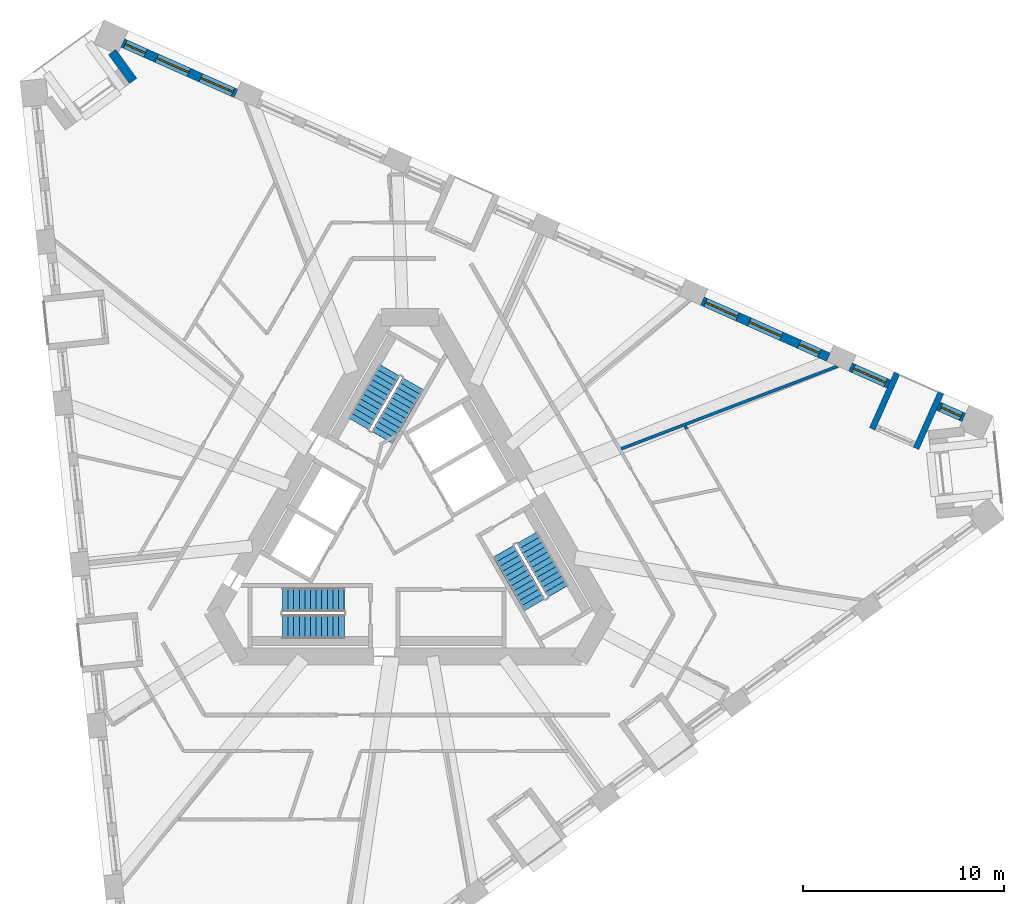
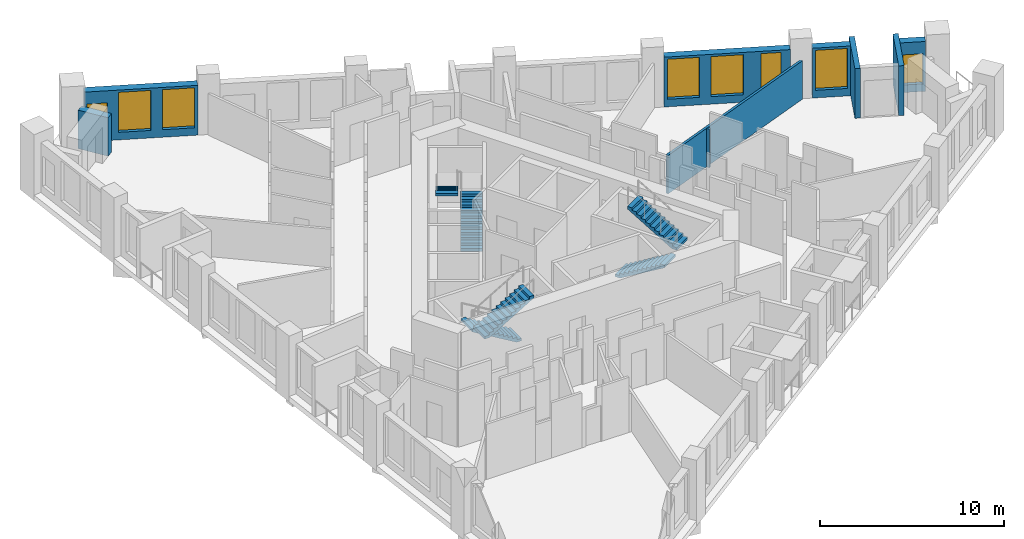
# One storey, part 9 of 14: 9 walls, 8 windows, 6 stair flights, 8 openings, 3 elements without a shape of their own.
"""IFC4 building model written with IfcOpenShell, lengths in metres."""

from ifc_helpers import new_model, si_unit, direction, frame, frame_2d, origin, place, context, subcontext, project, spatial, polyline, rectangle, outline, extrude, material, layer, layer_set, type_object, element, fill, aggregate, save


model = new_model("IFC4")

# Units and contexts
model_context = context("Model", 3, precision=1e-05, world=origin(), true_north=direction((0.0, 1.0)))
body_context = subcontext(model_context, "Body", "Model", "MODEL_VIEW")
ifc_project = project(units=[si_unit("LENGTHUNIT", "METRE"), si_unit("AREAUNIT", "SQUARE_METRE"), si_unit("VOLUMEUNIT", "CUBIC_METRE"), si_unit("PLANEANGLEUNIT", "RADIAN"), si_unit("MASSUNIT", "GRAM", prefix="KILO")], contexts=[model_context])

# Site, building, storey
site_placement = place(None, origin())
site = spatial("IfcSite", under=ifc_project, at=site_placement, CompositionType="ELEMENT")
building_placement = place(site_placement, origin())
building = spatial("IfcBuilding", under=site, at=building_placement, Name="Tramontana Tower", CompositionType="ELEMENT")
storey_placement = place(building_placement, frame((0.0, 0.0, 162.800048828125)))
storey = spatial("IfcBuildingStorey", under=building, at=storey_placement, Name="L37", CompositionType="ELEMENT", Elevation=162.800048828125)

# Wall, opening, window
ifc_material_1 = material(Name="Precast concrete 60 MPa", Category="concrete")
ifc_layer_1 = layer(ifc_material_1, 0.449951171875)
ifc_layer_set_1 = layer_set([ifc_layer_1], Name="Precast concrete 60 MPa, 450 mm")
wall_type_1 = type_object("IfcWallType", Name="EW1 Stone-faced precast wall 450", PredefinedType="SOLIDWALL", material=ifc_layer_set_1)
wall_1_placement = place(storey_placement, frame((27.604736328125, 5.57958984375, 0.0), z_axis=(0.0, 0.0, 1.0), x_axis=(-0.913558681389, 0.406706940756, 0.0)))
wall_1 = element("IfcWall", 1, at=wall_1_placement, inside=storey, type_object=wall_type_1, Name="External wall L37 face 2 bay 1", PredefinedType="SOLIDWALL", context=body_context, shape_type="SweptSolid", body=[
    extrude(rectangle(XDim=1.39453125, YDim=0.449951171875, at=frame_2d((0.697265625, 0.0))), origin(), (0.0, 0.0, 1.0), 3.300048828125),
])
opening_1_placement = place(wall_1_placement, frame((0.147216796875, 0.0, 0.5)))
opening_1 = element("IfcOpeningElement", 2, at=opening_1_placement, cuts=wall_1, Name="Opening N2L", PredefinedType="OPENING", context=body_context, shape_type="SweptSolid", body=[
    extrude(rectangle(XDim=1.10009765625, YDim=2.0, at=frame_2d((0.550048828125, 1.0))), frame((0.0, 0.23486328125, 0.0), z_axis=(0.0, -1.0, 0.0), x_axis=(1.0, 0.0, 0.0)), (0.0, 0.0, 1.0), 0.469970703125),
])
ifc_material_2 = material(Name="Aluminum frame, double glazing unit", Category="aluminium")
window_type_1 = type_object("IfcWindowType", Name="N2L Window 1.1 x 2", PartitioningType="SINGLE_PANEL", PredefinedType="WINDOW", material=ifc_material_2)
window_1_placement = place(opening_1_placement, origin())
window_1 = element("IfcWindow", 3, at=window_1_placement, inside=storey, type_object=window_type_1, Name="Window N2L L37 face 2 module 1", OverallHeight=2.0, OverallWidth=1.10009765625, PartitioningType="SINGLE_PANEL", PredefinedType="WINDOW", context=body_context, shape_type="SweptSolid", body=[
    extrude(rectangle(XDim=1.10009765625, YDim=2.0, at=frame_2d((0.550048828125, 1.0))), frame((0.0, 0.030029296875, 0.0), z_axis=(0.0, -1.0, 0.0), x_axis=(1.0, 0.0, 0.0)), (0.0, 0.0, 1.0), 0.06005859375),
])
fill(opening_1, window_1)

wall_2_placement = place(storey_placement, frame((23.86962890625, 7.242431640625, 0.0), z_axis=(0.0, 0.0, 1.0), x_axis=(-0.913513282906, 0.406808901026, 0.0)))
wall_2 = element("IfcWall", 4, at=wall_2_placement, inside=storey, type_object=wall_type_1, Name="External wall L37 face 2 bay 1", PredefinedType="SOLIDWALL", context=body_context, shape_type="SweptSolid", body=[
    extrude(rectangle(XDim=2.094482421875, YDim=0.449951171875, at=frame_2d((1.04736328125, 0.0))), origin(), (0.0, 0.0, 1.0), 3.300048828125),
])
opening_2_placement = place(wall_2_placement, frame((0.172119140625, 0.0, 0.5)))
opening_2 = element("IfcOpeningElement", 5, at=opening_2_placement, cuts=wall_2, Name="Opening M2", PredefinedType="OPENING", context=body_context, shape_type="SweptSolid", body=[
    extrude(rectangle(XDim=1.75, YDim=2.64990234375, at=frame_2d((0.875, 1.324951171875))), frame((0.0, 0.23486328125, 0.0), z_axis=(0.0, -1.0, 0.0), x_axis=(1.0, 0.0, 0.0)), (0.0, 0.0, 1.0), 0.469970703125),
])
ifc_material_3 = material(Name="Aluminum frame, double glazing unit", Category="aluminium")
window_type_2 = type_object("IfcWindowType", Name="M2 Window 1.75 x 2.65", PartitioningType="SINGLE_PANEL", PredefinedType="WINDOW", material=ifc_material_3)
window_2_placement = place(opening_2_placement, origin())
window_2 = element("IfcWindow", 6, at=window_2_placement, inside=storey, type_object=window_type_2, Name="Window M2 L37 face 2 module 3", OverallHeight=2.64990234375, OverallWidth=1.75, PartitioningType="SINGLE_PANEL", PredefinedType="WINDOW", context=body_context, shape_type="SweptSolid", body=[
    extrude(rectangle(XDim=1.75, YDim=2.64990234375, at=frame_2d((0.875, 1.324951171875))), frame((0.0, 0.030029296875, 0.0), z_axis=(0.0, -1.0, 0.0), x_axis=(1.0, 0.0, 0.0)), (0.0, 0.0, 1.0), 0.06005859375),
])
fill(opening_2, window_2)

# Wall, openings, windows
wall_3_placement = place(storey_placement, frame((20.860107421875, 8.58251953125, 0.0), z_axis=(0.0, 0.0, 1.0), x_axis=(-0.913543675585, 0.40674064562, 0.0)))
wall_3 = element("IfcWall", 7, at=wall_3_placement, inside=storey, type_object=wall_type_1, Name="External wall L37 face 2 bay 2", PredefinedType="SOLIDWALL", context=body_context, shape_type="SweptSolid", body=[
    extrude(rectangle(XDim=6.8828125, YDim=0.449951171875, at=frame_2d((3.44140625, 0.0))), origin(), (0.0, 0.0, 1.0), 3.300048828125),
])
opening_3_placement = place(wall_3_placement, frame((0.4970703125, 0.0, 0.5)))
opening_3 = element("IfcOpeningElement", 8, at=opening_3_placement, cuts=wall_3, Name="Opening N2", PredefinedType="OPENING", context=body_context, shape_type="SweptSolid", body=[
    extrude(rectangle(XDim=1.10009765625, YDim=2.64990234375, at=frame_2d((0.550048828125, 1.324951171875))), frame((0.0, 0.23486328125, 0.0), z_axis=(0.0, -1.0, 0.0), x_axis=(1.0, 0.0, 0.0)), (0.0, 0.0, 1.0), 0.469970703125),
])
opening_4_placement = place(wall_3_placement, frame((2.56640625, 0.0, 0.5)))
opening_4 = element("IfcOpeningElement", 9, at=opening_4_placement, cuts=wall_3, Name="Opening M2", PredefinedType="OPENING", context=body_context, shape_type="SweptSolid", body=[
    extrude(rectangle(XDim=1.75, YDim=2.64990234375, at=frame_2d((0.875, 1.324951171875))), frame((0.0, 0.23486328125, 0.0), z_axis=(0.0, -1.0, 0.0), x_axis=(1.0, 0.0, 0.0)), (0.0, 0.0, 1.0), 0.469970703125),
])
opening_5_placement = place(wall_3_placement, frame((4.960693359375, 0.0, 0.5)))
opening_5 = element("IfcOpeningElement", 10, at=opening_5_placement, cuts=wall_3, Name="Opening M2", PredefinedType="OPENING", context=body_context, shape_type="SweptSolid", body=[
    extrude(rectangle(XDim=1.75, YDim=2.64990234375, at=frame_2d((0.875, 1.324951171875))), frame((0.0, 0.23486328125, 0.0), z_axis=(0.0, -1.0, 0.0), x_axis=(1.0, 0.0, 0.0)), (0.0, 0.0, 1.0), 0.469970703125),
])
window_3_placement = place(opening_4_placement, origin())
window_3 = element("IfcWindow", 11, at=window_3_placement, inside=storey, type_object=window_type_2, Name="Window M2 L37 face 2 module 5", OverallHeight=2.64990234375, OverallWidth=1.75, PartitioningType="SINGLE_PANEL", PredefinedType="WINDOW", context=body_context, shape_type="SweptSolid", body=[
    extrude(rectangle(XDim=1.75, YDim=2.64990234375, at=frame_2d((0.875, 1.324951171875))), frame((0.0, 0.030029296875, 0.0), z_axis=(0.0, -1.0, 0.0), x_axis=(1.0, 0.0, 0.0)), (0.0, 0.0, 1.0), 0.06005859375),
])
fill(opening_4, window_3)
window_4_placement = place(opening_5_placement, origin())
window_4 = element("IfcWindow", 12, at=window_4_placement, inside=storey, type_object=window_type_2, Name="Window M2 L37 face 2 module 6", OverallHeight=2.64990234375, OverallWidth=1.75, PartitioningType="SINGLE_PANEL", PredefinedType="WINDOW", context=body_context, shape_type="SweptSolid", body=[
    extrude(rectangle(XDim=1.75, YDim=2.64990234375, at=frame_2d((0.875, 1.324951171875))), frame((0.0, 0.030029296875, 0.0), z_axis=(0.0, -1.0, 0.0), x_axis=(1.0, 0.0, 0.0)), (0.0, 0.0, 1.0), 0.06005859375),
])
fill(opening_5, window_4)
ifc_material_4 = material(Name="Aluminum frame, double glazing unit", Category="aluminium")
window_type_3 = type_object("IfcWindowType", Name="N2 Window 1.1 x 2.65", PartitioningType="SINGLE_PANEL", PredefinedType="WINDOW", material=ifc_material_4)
window_5_placement = place(opening_3_placement, origin())
window_5 = element("IfcWindow", 13, at=window_5_placement, inside=storey, type_object=window_type_3, Name="Window N2 L37 face 2 module 4", OverallHeight=2.64990234375, OverallWidth=1.10009765625, PartitioningType="SINGLE_PANEL", PredefinedType="WINDOW", context=body_context, shape_type="SweptSolid", body=[
    extrude(rectangle(XDim=1.10009765625, YDim=2.64990234375, at=frame_2d((0.550048828125, 1.324951171875))), frame((0.0, 0.030029296875, 0.0), z_axis=(0.0, -1.0, 0.0), x_axis=(1.0, 0.0, 0.0)), (0.0, 0.0, 1.0), 0.06005859375),
])
fill(opening_3, window_5)

wall_4_placement = place(storey_placement, frame((-8.67626953125, 21.73291015625, 0.0), z_axis=(0.0, 0.0, 1.0), x_axis=(-0.913542682641, 0.406742875773, 0.0)))
wall_4 = element("IfcWall", 14, at=wall_4_placement, inside=storey, type_object=wall_type_1, Name="External wall L37 face 2 bay 6", PredefinedType="SOLIDWALL", context=body_context, shape_type="SweptSolid", body=[
    extrude(rectangle(XDim=6.18310546875, YDim=0.449951171875, at=frame_2d((3.091552734375, 0.0))), origin(), (0.0, 0.0, 1.0), 3.300048828125),
])
opening_6_placement = place(wall_4_placement, frame((0.172119140625, 0.0, 0.5)))
opening_6 = element("IfcOpeningElement", 15, at=opening_6_placement, cuts=wall_4, Name="Opening M2", PredefinedType="OPENING", context=body_context, shape_type="SweptSolid", body=[
    extrude(rectangle(XDim=1.75, YDim=2.64990234375, at=frame_2d((0.875, 1.324951171875))), frame((0.0, 0.23486328125, 0.0), z_axis=(0.0, -1.0, 0.0), x_axis=(1.0, 0.0, 0.0)), (0.0, 0.0, 1.0), 0.469970703125),
])
opening_7_placement = place(wall_4_placement, frame((2.56640625, 0.0, 0.5)))
opening_7 = element("IfcOpeningElement", 16, at=opening_7_placement, cuts=wall_4, Name="Opening M2", PredefinedType="OPENING", context=body_context, shape_type="SweptSolid", body=[
    extrude(rectangle(XDim=1.75, YDim=2.64990234375, at=frame_2d((0.875, 1.324951171875))), frame((0.0, 0.23486328125, 0.0), z_axis=(0.0, -1.0, 0.0), x_axis=(1.0, 0.0, 0.0)), (0.0, 0.0, 1.0), 0.469970703125),
])
opening_8_placement = place(wall_4_placement, frame((4.935791015625, 0.0, 0.5)))
opening_8 = element("IfcOpeningElement", 17, at=opening_8_placement, cuts=wall_4, Name="Opening N2L", PredefinedType="OPENING", context=body_context, shape_type="SweptSolid", body=[
    extrude(rectangle(XDim=1.10009765625, YDim=2.0, at=frame_2d((0.550048828125, 1.0))), frame((0.0, 0.23486328125, 0.0), z_axis=(0.0, -1.0, 0.0), x_axis=(1.0, 0.0, 0.0)), (0.0, 0.0, 1.0), 0.469970703125),
])
window_6_placement = place(opening_6_placement, origin())
window_6 = element("IfcWindow", 18, at=window_6_placement, inside=storey, type_object=window_type_2, Name="Window M2 L37 face 2 module 16", OverallHeight=2.64990234375, OverallWidth=1.75, PartitioningType="SINGLE_PANEL", PredefinedType="WINDOW", context=body_context, shape_type="SweptSolid", body=[
    extrude(rectangle(XDim=1.75, YDim=2.64990234375, at=frame_2d((0.875, 1.324951171875))), frame((0.0, 0.030029296875, 0.0), z_axis=(0.0, -1.0, 0.0), x_axis=(1.0, 0.0, 0.0)), (0.0, 0.0, 1.0), 0.06005859375),
])
fill(opening_6, window_6)
window_7_placement = place(opening_7_placement, origin())
window_7 = element("IfcWindow", 19, at=window_7_placement, inside=storey, type_object=window_type_2, Name="Window M2 L37 face 2 module 17", OverallHeight=2.64990234375, OverallWidth=1.75, PartitioningType="SINGLE_PANEL", PredefinedType="WINDOW", context=body_context, shape_type="SweptSolid", body=[
    extrude(rectangle(XDim=1.75, YDim=2.64990234375, at=frame_2d((0.875, 1.324951171875))), frame((0.0, 0.030029296875, 0.0), z_axis=(0.0, -1.0, 0.0), x_axis=(1.0, 0.0, 0.0)), (0.0, 0.0, 1.0), 0.06005859375),
])
fill(opening_7, window_7)
window_8_placement = place(opening_8_placement, origin())
window_8 = element("IfcWindow", 20, at=window_8_placement, inside=storey, type_object=window_type_1, Name="Window N2L L37 face 2 module 18", OverallHeight=2.0, OverallWidth=1.10009765625, PartitioningType="SINGLE_PANEL", PredefinedType="WINDOW", context=body_context, shape_type="SweptSolid", body=[
    extrude(rectangle(XDim=1.10009765625, YDim=2.0, at=frame_2d((0.550048828125, 1.0))), frame((0.0, 0.030029296875, 0.0), z_axis=(0.0, -1.0, 0.0), x_axis=(1.0, 0.0, 0.0)), (0.0, 0.0, 1.0), 0.06005859375),
])
fill(opening_8, window_8)

# Walls
wall_5_placement = place(storey_placement, frame((-14.847900390625, 23.796630859375, 0.0), z_axis=(0.0, 0.0, 1.0), x_axis=(0.587722853316, -0.809062326209, 0.0)))
element("IfcWall", 21, at=wall_5_placement, inside=storey, type_object=wall_type_1, Name="Corner loggia side wall L37 K40r", PredefinedType="SOLIDWALL", context=body_context, shape_type="SweptSolid", body=[
    extrude(rectangle(XDim=1.779052734375, YDim=0.449951171875, at=frame_2d((0.8896484375, 0.0))), origin(), (0.0, 0.0, 1.0), 2.550048828125),
])
ifc_material_5 = material(Name="Precast concrete 60 MPa", Category="concrete")
ifc_layer_2 = layer(ifc_material_5, 0.300048828125)
ifc_layer_set_2 = layer_set([ifc_layer_2], Name="LW1 Stone-faced loggia wall 300")
wall_type_2 = type_object("IfcWallType", Name="LW1 Stone-faced loggia wall 300", PredefinedType="SOLIDWALL", material=ifc_layer_set_2)
for number, where, z_axis, x_axis, name in (
    (22, (26.468505859375, 6.82421875, 0.0), (0.0, 0.0, 1.0), (-0.406806804169, -0.913514216683, 0.0), "Loggia return L37 G4S2.1a"),
    (23, (24.281005859375, 7.798095703125, 0.0), (0.0, 0.0, 1.0), (-0.406739999721, -0.91354396316, 0.0), "Loggia return L37 G4S2.1b"),
):
    element("IfcWall", number, at=place(storey_placement, frame(where, z_axis=z_axis, x_axis=x_axis)), inside=storey, type_object=wall_type_2, Name=name, PredefinedType="SOLIDWALL", context=body_context, shape_type="SweptSolid", body=[
        extrude(rectangle(XDim=3.0498046875, YDim=0.300048828125, at=frame_2d((1.52490234375, 0.0))), origin(), (0.0, 0.0, 1.0), 3.300048828125),
    ])
ifc_material_6 = material(Name="Gypsum board partition")
ifc_layer_3 = layer(ifc_material_6, 0.14990234375)
ifc_layer_set_3 = layer_set([ifc_layer_3], Name="PARTITION 150")
wall_type_3 = type_object("IfcWallType", Name="PARTITION 150", PredefinedType="PARTITIONING", material=ifc_layer_set_3)
wall_6_placement = place(storey_placement, frame((10.52734375, 4.016357421875, 0.0), z_axis=(0.0, 0.0, 1.0), x_axis=(0.934307766119, 0.356467387245, 0.0)))
element("IfcWall", 24, at=wall_6_placement, inside=storey, type_object=wall_type_3, Name="Wall v40-pw29-0", PredefinedType="PARTITIONING", context=body_context, shape_type="SweptSolid", body=[
    extrude(rectangle(XDim=11.5478515625, YDim=0.14990234375, at=frame_2d((5.77392578125, 0.0))), origin(), (0.0, 0.0, 1.0), 2.550048828125),
])
wall_7_placement = place(storey_placement, frame((13.71142578125, 5.15087890625, 0.0), z_axis=(0.0, 0.0, 1.0), x_axis=(0.501154914898, -0.865357585784, 0.0)))
element("IfcWall", 25, at=wall_7_placement, inside=storey, type_object=wall_type_3, Name="Wall v40-pw31-0", PredefinedType="PARTITIONING", context=body_context, shape_type="SweptSolid", body=[
    extrude(rectangle(XDim=0.162109375, YDim=0.14990234375, at=frame_2d((0.0810546875, 0.0))), origin(), (0.0, 0.0, 1.0), 2.550048828125),
])

# Stair, stair flights
ifc_material_7 = material(Name="Concrete 40 MPa", Category="concrete")
stair_type = type_object("IfcStairType", Name="EXIT STAIR 24 RISERS", PredefinedType="HALF_TURN_STAIR", material=ifc_material_7)
stair_1_placement = place(storey_placement, origin())
stair_1 = element("IfcStair", 26, at=stair_1_placement, inside=storey, type_object=stair_type, Name="L37 Exit stair ST1", PredefinedType="HALF_TURN_STAIR")
ifc_material_8 = material(Name="Concrete 40 MPa", Category="concrete")
ifc_layer_4 = layer(ifc_material_8, 0.14990234375)
ifc_layer_set_4 = layer_set([ifc_layer_4], Name="EXIT STAIR FLIGHT")
stair_flight_type = type_object("IfcStairFlightType", Name="EXIT STAIR FLIGHT", PredefinedType="STRAIGHT", material=ifc_layer_set_4)
stair_flight_1_placement = place(storey_placement, frame((-1.39111328125, 4.590576171875, 0.0), z_axis=(0.0, 0.0, 1.0), x_axis=(0.5, 0.866025403784, 0.0)))
stair_flight_1 = element("IfcStairFlight", 27, at=stair_flight_1_placement, type_object=stair_flight_type, Name="ST1 flight 1", NumberOfRisers=12, NumberOfTreads=11, PredefinedType="STRAIGHT", RiserHeight=0.166666667, TreadLength=0.28, context=body_context, shape_type="SweptSolid", body=[
    extrude(outline(polyline([(-0.006103515625, 0.0), (-0.006103515625, 0.0400390625), (0.0, 0.0400390625), (0.0, 0.166748046875), (0.280029296875, 0.166748046875), (0.280029296875, 0.333251953125), (0.56005859375, 0.333251953125), (0.56005859375, 0.5), (0.840087890625, 0.5), (0.840087890625, 0.666748046875), (1.1201171875, 0.666748046875), (1.1201171875, 0.833251953125), (1.39990234375, 0.833251953125), (1.39990234375, 1.0), (1.679931640625, 1.0), (1.679931640625, 1.166748046875), (1.9599609375, 1.166748046875), (1.9599609375, 1.333251953125), (2.239990234375, 1.333251953125), (2.239990234375, 1.5), (2.52001953125, 1.5), (2.52001953125, 1.666748046875), (2.800048828125, 1.666748046875), (2.800048828125, 1.833251953125), (3.080078125, 1.833251953125), (3.0859375, 1.833251953125), (3.0859375, 1.658935546875), (0.299072265625, 0.0), (-0.006103515625, 0.0)])), frame((0.0, 0.60009765625, 0.0), z_axis=(0.0, -1.0, 0.0), x_axis=(1.0, 0.0, 0.0)), (0.0, 0.0, 1.0), 1.199951171875),
])
stair_flight_2_placement = place(storey_placement, frame((-1.020263671875, 7.932861328125, 2.0), z_axis=(0.0, 0.0, 1.0), x_axis=(-0.5, -0.866025403784, 0.0)))
stair_flight_2 = element("IfcStairFlight", 28, at=stair_flight_2_placement, type_object=stair_flight_type, Name="ST1 flight 2", NumberOfRisers=12, NumberOfTreads=11, PredefinedType="STRAIGHT", RiserHeight=0.166666667, TreadLength=0.28, context=body_context, shape_type="SweptSolid", body=[
    extrude(outline(polyline([(-0.006103515625, 0.0), (-0.006103515625, 0.0400390625), (0.0, 0.0400390625), (0.0, 0.166748046875), (0.280029296875, 0.166748046875), (0.280029296875, 0.333251953125), (0.56005859375, 0.333251953125), (0.56005859375, 0.5), (0.840087890625, 0.5), (0.840087890625, 0.666748046875), (1.1201171875, 0.666748046875), (1.1201171875, 0.833251953125), (1.39990234375, 0.833251953125), (1.39990234375, 1.0), (1.679931640625, 1.0), (1.679931640625, 1.166748046875), (1.9599609375, 1.166748046875), (1.9599609375, 1.333251953125), (2.239990234375, 1.333251953125), (2.239990234375, 1.5), (2.52001953125, 1.5), (2.52001953125, 1.666748046875), (2.800048828125, 1.666748046875), (2.800048828125, 1.833251953125), (3.080078125, 1.833251953125), (3.0859375, 1.833251953125), (3.0859375, 1.658935546875), (0.299072265625, 0.0), (-0.006103515625, 0.0)])), frame((0.0, 0.60009765625, 0.0), z_axis=(0.0, -1.0, 0.0), x_axis=(1.0, 0.0, 0.0)), (0.0, 0.0, 1.0), 1.199951171875),
])
aggregate(stair_1, [stair_flight_1, stair_flight_2])

stair_2_placement = place(storey_placement, origin())
stair_2 = element("IfcStair", 29, at=stair_2_placement, inside=storey, type_object=stair_type, Name="L37 Exit stair ST2", PredefinedType="HALF_TURN_STAIR")
stair_flight_3_placement = place(storey_placement, frame((-3.280029296875, -3.5, 0.0), z_axis=(0.0, 0.0, 1.0), x_axis=(-1.0, 0.0, 0.0)))
stair_flight_3 = element("IfcStairFlight", 30, at=stair_flight_3_placement, type_object=stair_flight_type, Name="ST2 flight 1", NumberOfRisers=12, NumberOfTreads=11, PredefinedType="STRAIGHT", RiserHeight=0.166666667, TreadLength=0.28, context=body_context, shape_type="SweptSolid", body=[
    extrude(outline(polyline([(-0.006103515625, 0.0), (-0.006103515625, 0.0400390625), (0.0, 0.0400390625), (0.0, 0.166748046875), (0.280029296875, 0.166748046875), (0.280029296875, 0.333251953125), (0.56005859375, 0.333251953125), (0.56005859375, 0.5), (0.840087890625, 0.5), (0.840087890625, 0.666748046875), (1.1201171875, 0.666748046875), (1.1201171875, 0.833251953125), (1.39990234375, 0.833251953125), (1.39990234375, 1.0), (1.679931640625, 1.0), (1.679931640625, 1.166748046875), (1.9599609375, 1.166748046875), (1.9599609375, 1.333251953125), (2.239990234375, 1.333251953125), (2.239990234375, 1.5), (2.52001953125, 1.5), (2.52001953125, 1.666748046875), (2.800048828125, 1.666748046875), (2.800048828125, 1.833251953125), (3.080078125, 1.833251953125), (3.0859375, 1.833251953125), (3.0859375, 1.658935546875), (0.299072265625, 0.0), (-0.006103515625, 0.0)])), frame((0.0, 0.60009765625, 0.0), z_axis=(0.0, -1.0, 0.0), x_axis=(1.0, 0.0, 0.0)), (0.0, 0.0, 1.0), 1.199951171875),
])
stair_flight_4_placement = place(storey_placement, frame((-6.360107421875, -4.85009765625, 2.0), z_axis=(0.0, 0.0, 1.0), x_axis=(1.0, 0.0, 0.0)))
stair_flight_4 = element("IfcStairFlight", 31, at=stair_flight_4_placement, type_object=stair_flight_type, Name="ST2 flight 2", NumberOfRisers=12, NumberOfTreads=11, PredefinedType="STRAIGHT", RiserHeight=0.166666667, TreadLength=0.28, context=body_context, shape_type="SweptSolid", body=[
    extrude(outline(polyline([(-0.006103515625, 0.0), (-0.006103515625, 0.0400390625), (0.0, 0.0400390625), (0.0, 0.166748046875), (0.280029296875, 0.166748046875), (0.280029296875, 0.333251953125), (0.56005859375, 0.333251953125), (0.56005859375, 0.5), (0.840087890625, 0.5), (0.840087890625, 0.666748046875), (1.1201171875, 0.666748046875), (1.1201171875, 0.833251953125), (1.39990234375, 0.833251953125), (1.39990234375, 1.0), (1.679931640625, 1.0), (1.679931640625, 1.166748046875), (1.9599609375, 1.166748046875), (1.9599609375, 1.333251953125), (2.239990234375, 1.333251953125), (2.239990234375, 1.5), (2.52001953125, 1.5), (2.52001953125, 1.666748046875), (2.800048828125, 1.666748046875), (2.800048828125, 1.833251953125), (3.080078125, 1.833251953125), (3.0859375, 1.833251953125), (3.0859375, 1.658935546875), (0.299072265625, 0.0), (-0.006103515625, 0.0)])), frame((0.0, 0.60009765625, 0.0), z_axis=(0.0, -1.0, 0.0), x_axis=(1.0, 0.0, 0.0)), (0.0, 0.0, 1.0), 1.199951171875),
])
aggregate(stair_2, [stair_flight_3, stair_flight_4])

stair_3_placement = place(storey_placement, origin())
stair_3 = element("IfcStair", 32, at=stair_3_placement, inside=storey, type_object=stair_type, Name="L37 Exit stair ST3", PredefinedType="HALF_TURN_STAIR")
stair_flight_5_placement = place(storey_placement, frame((4.671142578125, -1.090576171875, 0.0), z_axis=(0.0, 0.0, 1.0), x_axis=(0.5, -0.866025403784, 0.0)))
stair_flight_5 = element("IfcStairFlight", 33, at=stair_flight_5_placement, type_object=stair_flight_type, Name="ST3 flight 1", NumberOfRisers=12, NumberOfTreads=11, PredefinedType="STRAIGHT", RiserHeight=0.166666667, TreadLength=0.28, context=body_context, shape_type="SweptSolid", body=[
    extrude(outline(polyline([(-0.006103515625, 0.0), (-0.006103515625, 0.0400390625), (0.0, 0.0400390625), (0.0, 0.166748046875), (0.280029296875, 0.166748046875), (0.280029296875, 0.333251953125), (0.56005859375, 0.333251953125), (0.56005859375, 0.5), (0.840087890625, 0.5), (0.840087890625, 0.666748046875), (1.1201171875, 0.666748046875), (1.1201171875, 0.833251953125), (1.39990234375, 0.833251953125), (1.39990234375, 1.0), (1.679931640625, 1.0), (1.679931640625, 1.166748046875), (1.9599609375, 1.166748046875), (1.9599609375, 1.333251953125), (2.239990234375, 1.333251953125), (2.239990234375, 1.5), (2.52001953125, 1.5), (2.52001953125, 1.666748046875), (2.800048828125, 1.666748046875), (2.800048828125, 1.833251953125), (3.080078125, 1.833251953125), (3.0859375, 1.833251953125), (3.0859375, 1.658935546875), (0.299072265625, 0.0), (-0.006103515625, 0.0)])), frame((0.0, 0.60009765625, 0.0), z_axis=(0.0, -1.0, 0.0), x_axis=(1.0, 0.0, 0.0)), (0.0, 0.0, 1.0), 1.199951171875),
])
stair_flight_6_placement = place(storey_placement, frame((7.380126953125, -3.0830078125, 2.0), z_axis=(0.0, 0.0, 1.0), x_axis=(-0.5, 0.866025403784, 0.0)))
stair_flight_6 = element("IfcStairFlight", 34, at=stair_flight_6_placement, type_object=stair_flight_type, Name="ST3 flight 2", NumberOfRisers=12, NumberOfTreads=11, PredefinedType="STRAIGHT", RiserHeight=0.166666667, TreadLength=0.28, context=body_context, shape_type="SweptSolid", body=[
    extrude(outline(polyline([(-0.006103515625, 0.0), (-0.006103515625, 0.0400390625), (0.0, 0.0400390625), (0.0, 0.166748046875), (0.280029296875, 0.166748046875), (0.280029296875, 0.333251953125), (0.56005859375, 0.333251953125), (0.56005859375, 0.5), (0.840087890625, 0.5), (0.840087890625, 0.666748046875), (1.1201171875, 0.666748046875), (1.1201171875, 0.833251953125), (1.39990234375, 0.833251953125), (1.39990234375, 1.0), (1.679931640625, 1.0), (1.679931640625, 1.166748046875), (1.9599609375, 1.166748046875), (1.9599609375, 1.333251953125), (2.239990234375, 1.333251953125), (2.239990234375, 1.5), (2.52001953125, 1.5), (2.52001953125, 1.666748046875), (2.800048828125, 1.666748046875), (2.800048828125, 1.833251953125), (3.080078125, 1.833251953125), (3.0859375, 1.833251953125), (3.0859375, 1.658935546875), (0.299072265625, 0.0), (-0.006103515625, 0.0)])), frame((0.0, 0.60009765625, 0.0), z_axis=(0.0, -1.0, 0.0), x_axis=(1.0, 0.0, 0.0)), (0.0, 0.0, 1.0), 1.199951171875),
])
aggregate(stair_3, [stair_flight_5, stair_flight_6])

save(model, "model.ifc")
